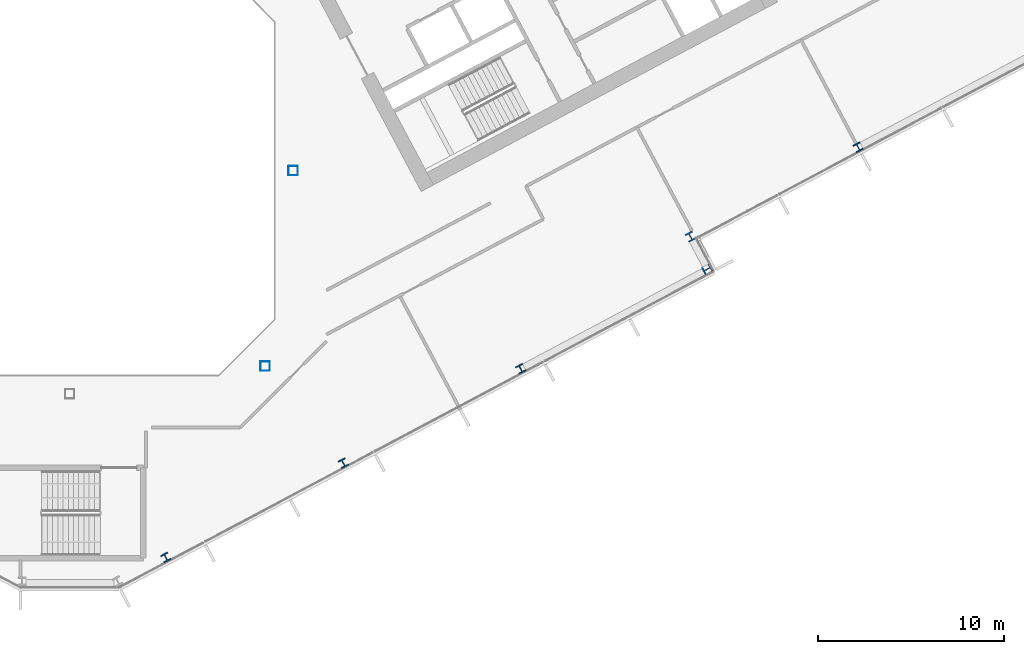
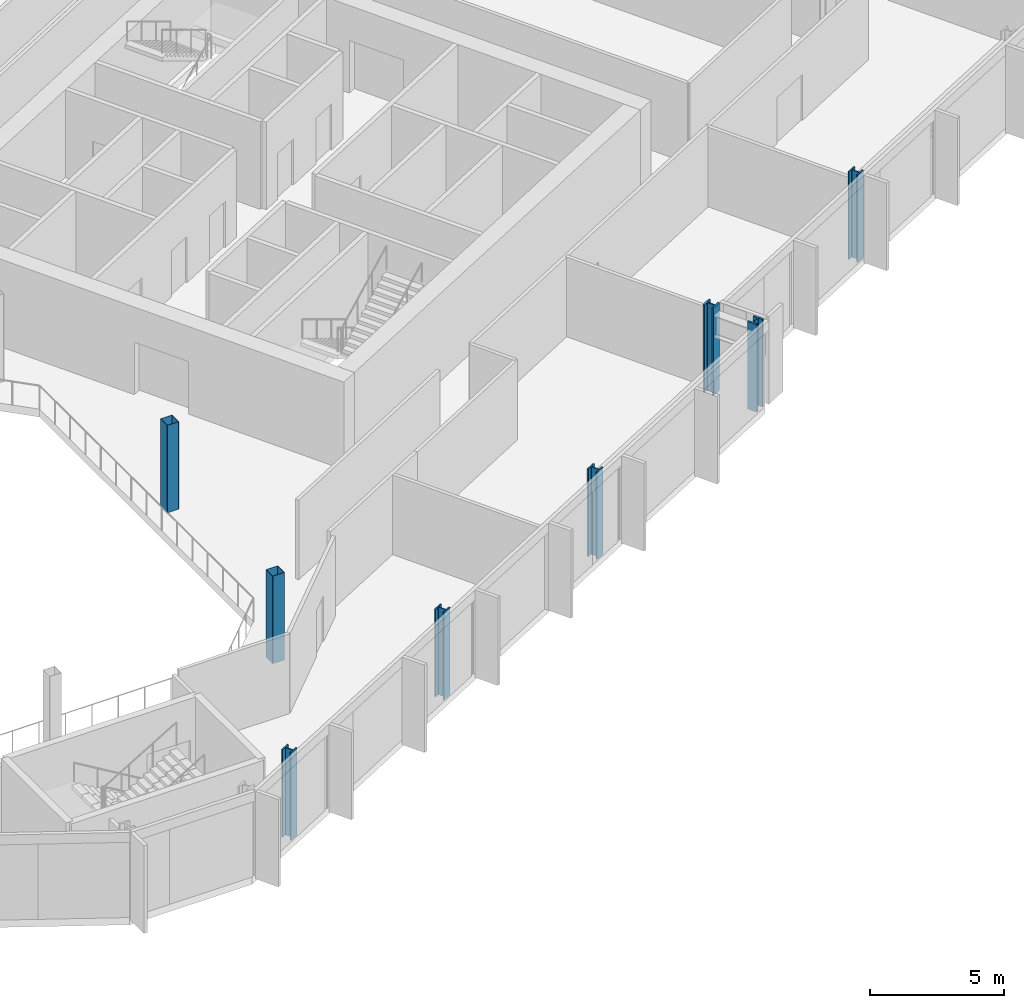
# One storey, part 5 of 28: 8 columns.
"""IFC4 building model written with IfcOpenShell, lengths in metres."""

import ifcopenshell
import ifcopenshell.guid

model = None  # the IFC model being written
_history = None  # IfcOwnerHistory: only IFC2X3 demands one
_inside = {}  # id of a spatial element -> (the spatial element, [elements in it])
_under = {}  # id of a project, library or spatial element -> (it, [spatial elements below it])
_declared = {}  # id of a project -> (the project, [libraries it declares])
_typed = {}  # id of a type object -> (the type object, [elements of that type])
_made_of = {}  # id of a material, layer set ... -> (it, [elements and type objects made of it])


def new_model(schema):
    """Start an empty IFC model of exactly this schema.

    Asked for "IFC4X3", IfcOpenShell would pick the latest addendum, in which some entities
    have other attributes; the version numbers below select the first issue.
    IFC2X3 requires an IfcOwnerHistory on every rooted entity: one is made here for all.
    """
    global model, _history
    if schema == "IFC4X3":
        model = ifcopenshell.file(schema_version=(4, 3, 0, 0))
    else:
        model = ifcopenshell.file(schema=schema)
    _inside.clear()
    _under.clear()
    _declared.clear()
    _typed.clear()
    _made_of.clear()
    _history = None
    if model.schema == "IFC2X3":
        org = make("IfcOrganization", Name="unknown")
        user = make(
            "IfcPersonAndOrganization",
            ThePerson=make("IfcPerson", FamilyName="unknown"),
            TheOrganization=org,
        )
        app = make(
            "IfcApplication",
            ApplicationDeveloper=org,
            Version="unknown",
            ApplicationFullName="unknown",
            ApplicationIdentifier="unknown",
        )
        _history = make(
            "IfcOwnerHistory",
            OwningUser=user,
            OwningApplication=app,
            ChangeAction="ADDED",
            CreationDate=0,
        )
    return model


def make(cls, **values):
    """One entity of the class cls with the attributes given. An attribute that is None is left unset."""
    return model.create_entity(
        cls, **{name: value for name, value in values.items() if value is not None}
    )


def rooted(cls, **values):
    """An entity with a GlobalId (a new one), such as an element, a storey or a relation."""
    return make(cls, GlobalId=ifcopenshell.guid.new(), OwnerHistory=_history, **values)


def si_unit(unit_type, name, prefix=None):
    """IfcSIUnit, for example si_unit("LENGTHUNIT", "METRE", prefix="MILLI")."""
    return make("IfcSIUnit", UnitType=unit_type, Prefix=prefix, Name=name)


def assignment(units):
    """IfcUnitAssignment: the units of a project."""
    return None if units is None else make("IfcUnitAssignment", Units=units)


def point(xyz):
    """IfcCartesianPoint."""
    return None if xyz is None else make("IfcCartesianPoint", Coordinates=xyz)


def direction(xyz):
    """IfcDirection."""
    return None if xyz is None else make("IfcDirection", DirectionRatios=xyz)


def frame(location, z_axis=None, x_axis=None):
    """IfcAxis2Placement3D, a coordinate frame: its origin and axes. An axis left out is left unset."""
    return make(
        "IfcAxis2Placement3D",
        Location=point(location),
        Axis=direction(z_axis),
        RefDirection=direction(x_axis),
    )


def frame_2d(location, x_axis=None):
    """IfcAxis2Placement2D, a coordinate frame in the plane: its origin and x axis."""
    return make(
        "IfcAxis2Placement2D", Location=point(location), RefDirection=direction(x_axis)
    )


def origin():
    """The frame at (0, 0, 0) with its axes left unset."""
    return frame((0.0, 0.0, 0.0))


def origin_2d():
    """The frame at (0, 0) in the plane with its x axis left unset."""
    return frame_2d((0.0, 0.0))


def place(relative_to, where):
    """IfcLocalPlacement: puts the frame where relative to a parent placement (None: the world)."""
    return make(
        "IfcLocalPlacement", PlacementRelTo=relative_to, RelativePlacement=where
    )


def context(
    kind, dimensions, precision=None, world=None, true_north=None, identifier=None
):
    """IfcGeometricRepresentationContext, for example the 3D "Model" context."""
    return make(
        "IfcGeometricRepresentationContext",
        ContextIdentifier=identifier,
        ContextType=kind,
        CoordinateSpaceDimension=dimensions,
        Precision=precision,
        WorldCoordinateSystem=world,
        TrueNorth=true_north,
    )


def subcontext(parent, identifier, kind, view, scale=None):
    """IfcGeometricRepresentationSubContext, for example "Body" below "Model"."""
    return make(
        "IfcGeometricRepresentationSubContext",
        ContextIdentifier=identifier,
        ContextType=kind,
        ParentContext=parent,
        TargetScale=scale,
        TargetView=view,
    )


def project(units=None, contexts=None):
    """IfcProject with its units and contexts."""
    return rooted(
        "IfcProject",
        Name="project",
        RepresentationContexts=contexts,
        UnitsInContext=assignment(units),
    )


def spatial(cls, under=None, at=None, **own):
    """A site, building, storey or space (cls), placed at a placement, below another one or the project."""
    s = rooted(cls, ObjectPlacement=at, **own)
    if under is not None:
        _under.setdefault(under.id(), (under, []))[1].append(s)
    return s


def profile(cls, at=None, kind="AREA", **sizes):
    """A parametric profile (cls). Its sizes go by their IFC names, for example OverallWidth=200.0."""
    return make(cls, ProfileType=kind, Position=at, **sizes)


def hollow_rectangle(**sizes):
    """IfcRectangleHollowProfileDef."""
    return profile("IfcRectangleHollowProfileDef", **sizes)


def i_section(**sizes):
    """IfcIShapeProfileDef."""
    return profile("IfcIShapeProfileDef", **sizes)


def extrude(swept, where, along, depth):
    """IfcExtrudedAreaSolid: the profile swept, set in the frame where, extruded along a direction by depth."""
    return make(
        "IfcExtrudedAreaSolid",
        SweptArea=swept,
        Position=where,
        ExtrudedDirection=direction(along),
        Depth=depth,
    )


def shape(context_of_items, identifier, shape_type, items):
    """IfcShapeRepresentation: the items that make up one representation, for example the "Body"."""
    return make(
        "IfcShapeRepresentation",
        ContextOfItems=context_of_items,
        RepresentationIdentifier=identifier,
        RepresentationType=shape_type,
        Items=items,
    )


def material(Name=None, Category=None):
    """IfcMaterial."""
    return make("IfcMaterial", Name=Name, Category=Category)


def material_profile(
    of_material, cross_section, Name=None, Category=None, Priority=None
):
    """IfcMaterialProfile: a cross section and its material."""
    return make(
        "IfcMaterialProfile",
        Name=Name,
        Material=of_material,
        Profile=cross_section,
        Priority=Priority,
        Category=Category,
    )


def profile_set(profiles, Name=None, composite=None):
    """IfcMaterialProfileSet."""
    return make(
        "IfcMaterialProfileSet",
        Name=Name,
        MaterialProfiles=profiles,
        CompositeProfile=composite,
    )


def made_of(thing, what):
    """Note that an element or type object is made of a material, layer set ...; save() writes the relation."""
    if what is not None:
        _made_of.setdefault(what.id(), (what, []))[1].append(thing)
    return thing


def type_object(cls, material=None, **own):
    """A type object (cls), such as IfcWallType, which elements share."""
    return made_of(rooted(cls, **own), material)


def element(
    cls,
    number,
    at=None,
    inside=None,
    cuts=None,
    type_object=None,
    material=None,
    context=None,
    identifier="Body",
    shape_type=None,
    held_by="IfcProductDefinitionShape",
    body=None,
    shapes=None,
    **own,
):
    """One element of the class cls, such as IfcWall. Its Tag is "e" and its number.

    at: its placement. inside: the storey or other place that contains it. cuts: it is an
    opening in that element (IfcRelVoidsElement). A single representation is given by context,
    identifier, shape_type and body (its items); several are given by shapes. held_by: the class
    of the entity that holds the representations. save() writes the other relations.
    """
    e = rooted(cls, Tag="e%d" % number, ObjectPlacement=at, **own)
    if body is not None:
        shapes = [shape(context, identifier, shape_type, body)]
    if shapes is not None:
        e.Representation = make(held_by, Representations=shapes)
    if inside is not None:
        _inside.setdefault(inside.id(), (inside, []))[1].append(e)
    if cuts is not None:
        rooted(
            "IfcRelVoidsElement", RelatingBuildingElement=cuts, RelatedOpeningElement=e
        )
    if type_object is not None:
        _typed.setdefault(type_object.id(), (type_object, []))[1].append(e)
    return made_of(e, material)


def aggregate(whole, parts):
    """IfcRelAggregates: a whole, such as a stair, and the parts it consists of."""
    return rooted("IfcRelAggregates", RelatingObject=whole, RelatedObjects=parts)


def save(model, path):
    """Write the relations noted so far, then the file.

    IfcRelAggregates (storeys below a building ...), IfcRelContainedInSpatialStructure (elements
    in a storey), IfcRelDefinesByType, IfcRelAssociatesMaterial and IfcRelDeclares: one each for
    every whole, place, type object, material and project.
    """
    for whole, parts in _under.values():
        aggregate(whole, parts)
    for where, things in _inside.values():
        rooted(
            "IfcRelContainedInSpatialStructure",
            RelatedElements=things,
            RelatingStructure=where,
        )
    for kind, things in _typed.values():
        rooted("IfcRelDefinesByType", RelatedObjects=things, RelatingType=kind)
    for what, things in _made_of.values():
        rooted("IfcRelAssociatesMaterial", RelatedObjects=things, RelatingMaterial=what)
    for by, libraries in _declared.values():
        rooted("IfcRelDeclares", RelatingContext=by, RelatedDefinitions=libraries)
    model.write(path)


model = new_model("IFC4")

# Units and contexts
model_context = context("Model", 3, precision=1e-05, world=origin(), true_north=direction((0.0, 1.0)))
body_context = subcontext(model_context, "Body", "Model", "MODEL_VIEW")
ifc_project = project(units=[si_unit("LENGTHUNIT", "METRE"), si_unit("AREAUNIT", "SQUARE_METRE"), si_unit("VOLUMEUNIT", "CUBIC_METRE"), si_unit("PLANEANGLEUNIT", "RADIAN"), si_unit("MASSUNIT", "GRAM", prefix="KILO")], contexts=[model_context])

# Site, building, storey
site_placement = place(None, origin())
site = spatial("IfcSite", under=ifc_project, at=site_placement, CompositionType="ELEMENT")
building_placement = place(site_placement, origin())
building = spatial("IfcBuilding", under=site, at=building_placement, Name="Cormorant Relay Tower", CompositionType="ELEMENT")
storey_placement = place(building_placement, frame((0.0, 0.0, 130.199951171875)))
storey = spatial("IfcBuildingStorey", under=building, at=storey_placement, Name="L26", CompositionType="ELEMENT", Elevation=130.199951171875)

# Columns
ifc_material_1 = material(Name="Steel ASTM A500 Grade C (Fy 345 MPa)", Category="steel")
ifc_material_profile_1 = material_profile(ifc_material_1, hollow_rectangle(XDim=0.508056640625, YDim=0.508056640625, WallThickness=0.01171875, InnerFilletRadius=0.005859375, OuterFilletRadius=0.017822265625, at=origin_2d()), Name="HSS508x508x12")
ifc_profile_set_1 = profile_set([ifc_material_profile_1], Name="Steel ASTM A500 Grade C (Fy 345 MPa)")
column_type_1 = type_object("IfcColumnType", Name="Column HSS508x508x12", PredefinedType="COLUMN", material=ifc_profile_set_1)
for number, where, z_axis, x_axis, name in (
    (1, (10.5, -10.5, 0.0), (0.0, 0.0, 1.0), (1.0, 0.0, 0.0), "Column L26-010"),
    (2, (12.0, 0.0, 0.0), (0.0, 0.0, 1.0), (1.0, 0.0, 0.0), "Column L26-016"),
):
    element("IfcColumn", number, at=place(storey_placement, frame(where, z_axis=z_axis, x_axis=x_axis)), inside=storey, type_object=column_type_1, Name=name, PredefinedType="COLUMN", context=body_context, shape_type="SweptSolid", body=[
        extrude(hollow_rectangle(XDim=0.508056640625, YDim=0.508056640625, WallThickness=0.01171875, InnerFilletRadius=0.005859375, OuterFilletRadius=0.017822265625, at=origin_2d()), origin(), (0.0, 0.0, 1.0), 4.0),
    ])
ifc_material_2 = material(Name="Steel ASTM A992 (Fy 345 MPa)", Category="steel")
ifc_material_profile_2 = material_profile(ifc_material_2, i_section(OverallWidth=0.41162109375, OverallDepth=0.434326171875, WebThickness=0.035888671875, FlangeThickness=0.057373046875, FilletRadius=0.01513671875, at=origin_2d()), Name="W360x463")
ifc_profile_set_2 = profile_set([ifc_material_profile_2], Name="Steel ASTM A992 (Fy 345 MPa)")
column_type_2 = type_object("IfcColumnType", Name="Column W360x463", PredefinedType="COLUMN", material=ifc_profile_set_2)
for number, where, z_axis, x_axis, name in (
    (3, (5.1640625, -20.7890625, 0.0), (0.0, 0.0, 1.0), (0.882947592859, 0.469471562786, 0.0), "Column L26-003"),
    (4, (14.699951171875, -15.718994140625, 0.0), (0.0, 0.0, 1.0), (0.882947592859, 0.469471562786, 0.0), "Column L26-005"),
    (5, (24.236083984375, -10.64794921875, 0.0), (0.0, 0.0, 1.0), (0.882947592859, 0.469471562786, 0.0), "Column L26-008"),
    (6, (42.368896484375, 1.258056640625, 0.0), (0.0, 0.0, 1.0), (0.882947592859, 0.469471562786, 0.0), "Column L26-017"),
):
    element("IfcColumn", number, at=place(storey_placement, frame(where, z_axis=z_axis, x_axis=x_axis)), inside=storey, type_object=column_type_2, Name=name, PredefinedType="COLUMN", context=body_context, shape_type="SweptSolid", body=[
        extrude(i_section(OverallWidth=0.41162109375, OverallDepth=0.434326171875, WebThickness=0.035888671875, FlangeThickness=0.057373046875, FilletRadius=0.01513671875, at=origin_2d()), origin(), (0.0, 0.0, 1.0), 4.0),
    ])
ifc_material_3 = material(Name="Steel ASTM A992 (Fy 345 MPa)", Category="steel")
ifc_material_profile_3 = material_profile(ifc_material_3, i_section(OverallWidth=0.42431640625, OverallDepth=0.47509765625, WebThickness=0.0478515625, FlangeThickness=0.0771484375, FilletRadius=0.014892578125, at=origin_2d()), Name="W360x634")
ifc_profile_set_3 = profile_set([ifc_material_profile_3], Name="Steel ASTM A992 (Fy 345 MPa)")
column_type_3 = type_object("IfcColumnType", Name="Column W360x634", PredefinedType="COLUMN", material=ifc_profile_set_3)
for number, where, z_axis, x_axis, name in (
    (7, (34.256103515625, -5.297119140625, 0.0), (0.0, 0.0, 1.0), (-0.469471562786, 0.882947592859, 0.0), "Column L26-012"),
    (8, (33.35595703125, -3.54296875, 0.0), (0.0, 0.0, 1.0), (0.882947592859, 0.469471562786, 0.0), "Column L26-014"),
):
    element("IfcColumn", number, at=place(storey_placement, frame(where, z_axis=z_axis, x_axis=x_axis)), inside=storey, type_object=column_type_3, Name=name, PredefinedType="COLUMN", context=body_context, shape_type="SweptSolid", body=[
        extrude(i_section(OverallWidth=0.42431640625, OverallDepth=0.47509765625, WebThickness=0.0478515625, FlangeThickness=0.0771484375, FilletRadius=0.014892578125, at=origin_2d()), origin(), (0.0, 0.0, 1.0), 4.0),
    ])

save(model, "model.ifc")
